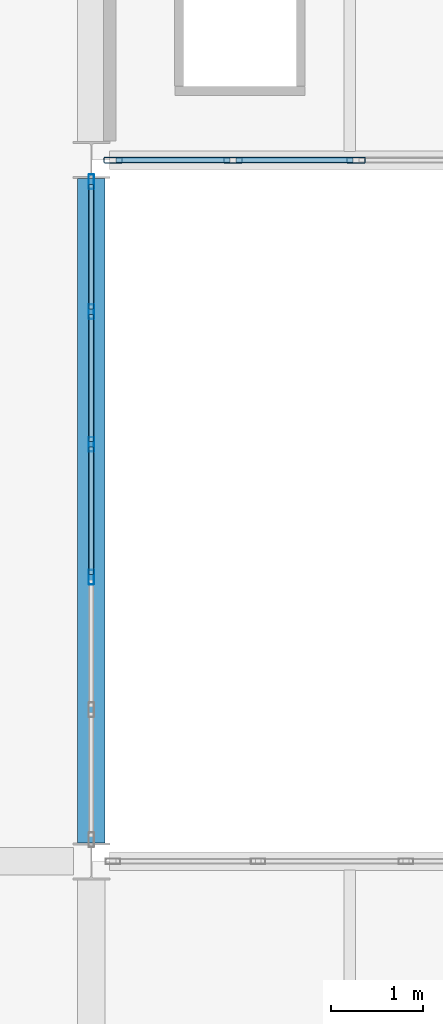
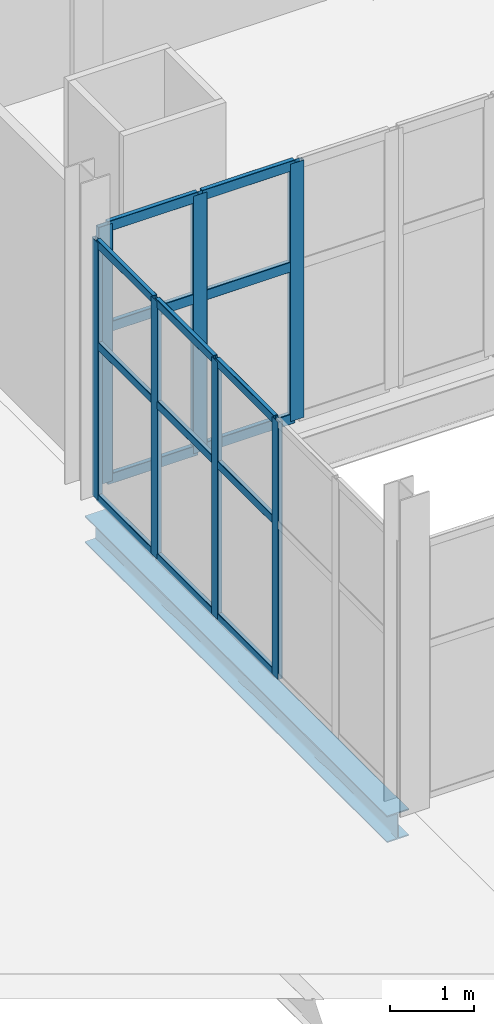
# One storey, part 68 of 172: 22 members, 1 beam, 2 elements without a shape of their own.
"""IFC4 building model written with IfcOpenShell, lengths in metres."""

from ifc_helpers import new_model, si_unit, direction, frame, origin, origin_2d, place, context, subcontext, project, spatial, hollow_rectangle, i_section, extrude, material, material_profile, profile_set, type_object, element, aggregate, save


model = new_model("IFC4")

# Units and contexts
model_context = context("Model", 3, precision=1e-05, world=origin(), true_north=direction((0.0, 1.0)))
body_context = subcontext(model_context, "Body", "Model", "MODEL_VIEW")
ifc_project = project(units=[si_unit("LENGTHUNIT", "METRE"), si_unit("AREAUNIT", "SQUARE_METRE"), si_unit("VOLUMEUNIT", "CUBIC_METRE"), si_unit("PLANEANGLEUNIT", "RADIAN"), si_unit("MASSUNIT", "GRAM", prefix="KILO")], contexts=[model_context])

# Site, building, storey
site_placement = place(None, origin())
site = spatial("IfcSite", under=ifc_project, at=site_placement, CompositionType="ELEMENT")
building_placement = place(site_placement, origin())
building = spatial("IfcBuilding", under=site, at=building_placement, Name="Shengluoqiao Park Theatre", CompositionType="ELEMENT")
storey_placement = place(building_placement, frame((0.0, 0.0, 5.39990234375)))
storey = spatial("IfcBuildingStorey", under=building, at=storey_placement, Name="L01", CompositionType="ELEMENT", Elevation=5.39990234375)

# Curtain wall, members
ifc_material_1 = material(Name="Aluminium 6063-T6", Category="aluminium")
curtain_wall_type_1 = type_object("IfcCurtainWallType", Name="ENV-CW-COURT", PredefinedType="NOTDEFINED", material=ifc_material_1)
curtain_wall_1_placement = place(storey_placement, origin())
curtain_wall_1 = element("IfcCurtainWall", 1, at=curtain_wall_1_placement, inside=storey, type_object=curtain_wall_type_1, Name="L01 Curtain Wall CWX-L01-0213", PredefinedType="NOTDEFINED")
ifc_material_profile_1 = material_profile(ifc_material_1, hollow_rectangle(XDim=0.06005859375, YDim=0.159912109375, WallThickness=0.00390625, InnerFilletRadius=0.00390625, OuterFilletRadius=0.008056640625, at=origin_2d()), Name="ALU MULLION 160x60x4")
ifc_profile_set_1 = profile_set([ifc_material_profile_1], Name="Aluminium 6063-T6")
member_type_1 = type_object("IfcMemberType", Name="ENV-MUL-160", PredefinedType="MULLION", material=ifc_profile_set_1)
member_1_placement = place(storey_placement, frame((44.39990234375, 63.880859375, 0.0), z_axis=(0.0, 0.0, 1.0), x_axis=(-1.0, 0.0, 0.0)))
member_1 = element("IfcMember", 2, at=member_1_placement, type_object=member_type_1, Name="CW-05 mullion 3", PredefinedType="MULLION", context=body_context, shape_type="SweptSolid", body=[
    extrude(hollow_rectangle(XDim=0.06005859375, YDim=0.159912109375, WallThickness=0.00390625, InnerFilletRadius=0.00390625, OuterFilletRadius=0.008056640625, at=origin_2d()), origin(), (0.0, 0.0, 1.0), 3.7421875),
])
member_2_placement = place(storey_placement, frame((44.39990234375, 65.319091796875, 0.0), z_axis=(0.0, 0.0, 1.0), x_axis=(-1.0, 0.0, 0.0)))
member_2 = element("IfcMember", 3, at=member_2_placement, type_object=member_type_1, Name="CW-05 mullion 4", PredefinedType="MULLION", context=body_context, shape_type="SweptSolid", body=[
    extrude(hollow_rectangle(XDim=0.06005859375, YDim=0.159912109375, WallThickness=0.00390625, InnerFilletRadius=0.00390625, OuterFilletRadius=0.008056640625, at=origin_2d()), origin(), (0.0, 0.0, 1.0), 3.7421875),
])
member_3_placement = place(storey_placement, frame((44.39990234375, 66.757568359375, 0.0), z_axis=(0.0, 0.0, 1.0), x_axis=(-1.0, 0.0, 0.0)))
member_3 = element("IfcMember", 4, at=member_3_placement, type_object=member_type_1, Name="CW-05 mullion 5", PredefinedType="MULLION", context=body_context, shape_type="SweptSolid", body=[
    extrude(hollow_rectangle(XDim=0.06005859375, YDim=0.159912109375, WallThickness=0.00390625, InnerFilletRadius=0.00390625, OuterFilletRadius=0.008056640625, at=origin_2d()), origin(), (0.0, 0.0, 1.0), 3.7421875),
])
member_4_placement = place(storey_placement, frame((44.39990234375, 68.166015625, 0.0), z_axis=(0.0, 0.0, 1.0), x_axis=(-1.0, 0.0, 0.0)))
member_4 = element("IfcMember", 5, at=member_4_placement, type_object=member_type_1, Name="CW-05 mullion 6", PredefinedType="MULLION", context=body_context, shape_type="SweptSolid", body=[
    extrude(hollow_rectangle(XDim=0.06005859375, YDim=0.159912109375, WallThickness=0.00390625, InnerFilletRadius=0.00390625, OuterFilletRadius=0.008056640625, at=origin_2d()), origin(), (0.0, 0.0, 1.0), 3.7421875),
])

curtain_wall_type_2 = type_object("IfcCurtainWallType", Name="ENV-CW-PROM", PredefinedType="NOTDEFINED", material=ifc_material_1)
curtain_wall_2_placement = place(storey_placement, origin())
curtain_wall_2 = element("IfcCurtainWall", 6, at=curtain_wall_2_placement, inside=storey, type_object=curtain_wall_type_2, Name="L01 Curtain Wall CW-L01-0051", PredefinedType="NOTDEFINED")
ifc_material_profile_2 = material_profile(ifc_material_1, hollow_rectangle(XDim=0.06494140625, YDim=0.199951171875, WallThickness=0.0048828125, InnerFilletRadius=0.0048828125, OuterFilletRadius=0.010009765625, at=origin_2d()), Name="ALU MULLION 200x65x5")
ifc_profile_set_2 = profile_set([ifc_material_profile_2], Name="Aluminium 6063-T6")
member_type_2 = type_object("IfcMemberType", Name="ENV-MUL-200", PredefinedType="MULLION", material=ifc_profile_set_2)
member_5_placement = place(storey_placement, frame((44.636474609375, 68.39990234375, 0.0), z_axis=(0.0, 0.0, 1.0), x_axis=(0.0, 1.0, 0.0)))
member_5 = element("IfcMember", 7, at=member_5_placement, type_object=member_type_2, Name="CW-04 mullion 1", PredefinedType="MULLION", context=body_context, shape_type="SweptSolid", body=[
    extrude(hollow_rectangle(XDim=0.06494140625, YDim=0.199951171875, WallThickness=0.0048828125, InnerFilletRadius=0.0048828125, OuterFilletRadius=0.010009765625, at=origin_2d()), origin(), (0.0, 0.0, 1.0), 3.7421875),
])
member_6_placement = place(storey_placement, frame((45.93603515625, 68.39990234375, 0.0), z_axis=(0.0, 0.0, 1.0), x_axis=(0.0, 1.0, 0.0)))
member_6 = element("IfcMember", 8, at=member_6_placement, type_object=member_type_2, Name="CW-04 mullion 2", PredefinedType="MULLION", context=body_context, shape_type="SweptSolid", body=[
    extrude(hollow_rectangle(XDim=0.06494140625, YDim=0.199951171875, WallThickness=0.0048828125, InnerFilletRadius=0.0048828125, OuterFilletRadius=0.010009765625, at=origin_2d()), origin(), (0.0, 0.0, 1.0), 3.7421875),
])
member_7_placement = place(storey_placement, frame((47.26806640625, 68.39990234375, 0.0), z_axis=(0.0, 0.0, 1.0), x_axis=(0.0, 1.0, 0.0)))
member_7 = element("IfcMember", 9, at=member_7_placement, type_object=member_type_2, Name="CW-04 mullion 3", PredefinedType="MULLION", context=body_context, shape_type="SweptSolid", body=[
    extrude(hollow_rectangle(XDim=0.06494140625, YDim=0.199951171875, WallThickness=0.0048828125, InnerFilletRadius=0.0048828125, OuterFilletRadius=0.010009765625, at=origin_2d()), origin(), (0.0, 0.0, 1.0), 3.7421875),
])

# Member
ifc_material_profile_3 = material_profile(ifc_material_1, hollow_rectangle(XDim=0.06005859375, YDim=0.1201171875, WallThickness=0.00390625, InnerFilletRadius=0.00390625, OuterFilletRadius=0.008056640625, at=origin_2d()), Name="ALU TRANSOM 120x60x4")
ifc_profile_set_3 = profile_set([ifc_material_profile_3], Name="Aluminium 6063-T6")
member_type_3 = type_object("IfcMemberType", Name="ENV-TRN-120", PredefinedType="USERDEFINED", material=ifc_profile_set_3)
member_8_placement = place(storey_placement, frame((44.39990234375, 63.910888671875, 0.030029296875), z_axis=(0.0, 1.0, 0.0), x_axis=(-1.0, 0.0, 0.0)))
member_8 = element("IfcMember", 10, at=member_8_placement, type_object=member_type_3, Name="CW-05 transom 3.1", ObjectType="TRANSOM", PredefinedType="USERDEFINED", context=body_context, shape_type="SweptSolid", body=[
    extrude(hollow_rectangle(XDim=0.06005859375, YDim=0.1201171875, WallThickness=0.00390625, InnerFilletRadius=0.00390625, OuterFilletRadius=0.008056640625, at=origin_2d()), origin(), (0.0, 0.0, 1.0), 1.37841796875),
])

member_9_placement = place(storey_placement, frame((44.39990234375, 63.910888671875, 2.2451171875), z_axis=(0.0, 1.0, 0.0), x_axis=(-1.0, 0.0, 0.0)))
member_9 = element("IfcMember", 11, at=member_9_placement, type_object=member_type_3, Name="CW-05 transom 3.2", ObjectType="TRANSOM", PredefinedType="USERDEFINED", context=body_context, shape_type="SweptSolid", body=[
    extrude(hollow_rectangle(XDim=0.06005859375, YDim=0.1201171875, WallThickness=0.00390625, InnerFilletRadius=0.00390625, OuterFilletRadius=0.008056640625, at=origin_2d()), origin(), (0.0, 0.0, 1.0), 1.37841796875),
])

member_10_placement = place(storey_placement, frame((44.39990234375, 63.910888671875, 3.712158203125), z_axis=(0.0, 1.0, 0.0), x_axis=(-1.0, 0.0, 0.0)))
member_10 = element("IfcMember", 12, at=member_10_placement, type_object=member_type_3, Name="CW-05 transom 3.3", ObjectType="TRANSOM", PredefinedType="USERDEFINED", context=body_context, shape_type="SweptSolid", body=[
    extrude(hollow_rectangle(XDim=0.06005859375, YDim=0.1201171875, WallThickness=0.00390625, InnerFilletRadius=0.00390625, OuterFilletRadius=0.008056640625, at=origin_2d()), origin(), (0.0, 0.0, 1.0), 1.37841796875),
])

member_11_placement = place(storey_placement, frame((44.39990234375, 65.34912109375, 0.030029296875), z_axis=(0.0, 1.0, 0.0), x_axis=(-1.0, 0.0, 0.0)))
member_11 = element("IfcMember", 13, at=member_11_placement, type_object=member_type_3, Name="CW-05 transom 4.1", ObjectType="TRANSOM", PredefinedType="USERDEFINED", context=body_context, shape_type="SweptSolid", body=[
    extrude(hollow_rectangle(XDim=0.06005859375, YDim=0.1201171875, WallThickness=0.00390625, InnerFilletRadius=0.00390625, OuterFilletRadius=0.008056640625, at=origin_2d()), origin(), (0.0, 0.0, 1.0), 1.37841796875),
])

member_12_placement = place(storey_placement, frame((44.39990234375, 65.34912109375, 2.2451171875), z_axis=(0.0, 1.0, 0.0), x_axis=(-1.0, 0.0, 0.0)))
member_12 = element("IfcMember", 14, at=member_12_placement, type_object=member_type_3, Name="CW-05 transom 4.2", ObjectType="TRANSOM", PredefinedType="USERDEFINED", context=body_context, shape_type="SweptSolid", body=[
    extrude(hollow_rectangle(XDim=0.06005859375, YDim=0.1201171875, WallThickness=0.00390625, InnerFilletRadius=0.00390625, OuterFilletRadius=0.008056640625, at=origin_2d()), origin(), (0.0, 0.0, 1.0), 1.37841796875),
])

member_13_placement = place(storey_placement, frame((44.39990234375, 65.34912109375, 3.712158203125), z_axis=(0.0, 1.0, 0.0), x_axis=(-1.0, 0.0, 0.0)))
member_13 = element("IfcMember", 15, at=member_13_placement, type_object=member_type_3, Name="CW-05 transom 4.3", ObjectType="TRANSOM", PredefinedType="USERDEFINED", context=body_context, shape_type="SweptSolid", body=[
    extrude(hollow_rectangle(XDim=0.06005859375, YDim=0.1201171875, WallThickness=0.00390625, InnerFilletRadius=0.00390625, OuterFilletRadius=0.008056640625, at=origin_2d()), origin(), (0.0, 0.0, 1.0), 1.37841796875),
])

member_14_placement = place(storey_placement, frame((44.39990234375, 66.78759765625, 0.030029296875), z_axis=(0.0, 1.0, 0.0), x_axis=(-1.0, 0.0, 0.0)))
member_14 = element("IfcMember", 16, at=member_14_placement, type_object=member_type_3, Name="CW-05 transom 5.1", ObjectType="TRANSOM", PredefinedType="USERDEFINED", context=body_context, shape_type="SweptSolid", body=[
    extrude(hollow_rectangle(XDim=0.06005859375, YDim=0.1201171875, WallThickness=0.00390625, InnerFilletRadius=0.00390625, OuterFilletRadius=0.008056640625, at=origin_2d()), origin(), (0.0, 0.0, 1.0), 1.348388671875),
])

member_15_placement = place(storey_placement, frame((44.39990234375, 66.78759765625, 2.2451171875), z_axis=(0.0, 1.0, 0.0), x_axis=(-1.0, 0.0, 0.0)))
member_15 = element("IfcMember", 17, at=member_15_placement, type_object=member_type_3, Name="CW-05 transom 5.2", ObjectType="TRANSOM", PredefinedType="USERDEFINED", context=body_context, shape_type="SweptSolid", body=[
    extrude(hollow_rectangle(XDim=0.06005859375, YDim=0.1201171875, WallThickness=0.00390625, InnerFilletRadius=0.00390625, OuterFilletRadius=0.008056640625, at=origin_2d()), origin(), (0.0, 0.0, 1.0), 1.348388671875),
])

member_16_placement = place(storey_placement, frame((44.39990234375, 66.78759765625, 3.712158203125), z_axis=(0.0, 1.0, 0.0), x_axis=(-1.0, 0.0, 0.0)))
member_16 = element("IfcMember", 18, at=member_16_placement, type_object=member_type_3, Name="CW-05 transom 5.3", ObjectType="TRANSOM", PredefinedType="USERDEFINED", context=body_context, shape_type="SweptSolid", body=[
    extrude(hollow_rectangle(XDim=0.06005859375, YDim=0.1201171875, WallThickness=0.00390625, InnerFilletRadius=0.00390625, OuterFilletRadius=0.008056640625, at=origin_2d()), origin(), (0.0, 0.0, 1.0), 1.348388671875),
])

aggregate(curtain_wall_1, [member_1, member_2, member_3, member_4, member_8, member_9, member_10, member_11, member_12, member_13, member_14, member_15, member_16])

ifc_material_profile_4 = material_profile(ifc_material_1, hollow_rectangle(XDim=0.06494140625, YDim=0.14990234375, WallThickness=0.00390625, InnerFilletRadius=0.00390625, OuterFilletRadius=0.008056640625, at=origin_2d()), Name="ALU TRANSOM 150x65x4")
ifc_profile_set_4 = profile_set([ifc_material_profile_4], Name="Aluminium 6063-T6")
member_type_4 = type_object("IfcMemberType", Name="ENV-TRN-150", PredefinedType="USERDEFINED", material=ifc_profile_set_4)
member_17_placement = place(storey_placement, frame((44.6689453125, 68.39990234375, 0.03271484375), z_axis=(1.0, 0.0, 0.0), x_axis=(0.0, 1.0, 0.0)))
member_17 = element("IfcMember", 19, at=member_17_placement, type_object=member_type_4, Name="CW-04 transom 1.1", ObjectType="TRANSOM", PredefinedType="USERDEFINED", context=body_context, shape_type="SweptSolid", body=[
    extrude(hollow_rectangle(XDim=0.06494140625, YDim=0.14990234375, WallThickness=0.00390625, InnerFilletRadius=0.00390625, OuterFilletRadius=0.008056640625, at=origin_2d()), origin(), (0.0, 0.0, 1.0), 1.234619140625),
])

member_18_placement = place(storey_placement, frame((44.6689453125, 68.39990234375, 2.2451171875), z_axis=(1.0, 0.0, 0.0), x_axis=(0.0, 1.0, 0.0)))
member_18 = element("IfcMember", 20, at=member_18_placement, type_object=member_type_4, Name="CW-04 transom 1.2", ObjectType="TRANSOM", PredefinedType="USERDEFINED", context=body_context, shape_type="SweptSolid", body=[
    extrude(hollow_rectangle(XDim=0.06494140625, YDim=0.14990234375, WallThickness=0.00390625, InnerFilletRadius=0.00390625, OuterFilletRadius=0.008056640625, at=origin_2d()), origin(), (0.0, 0.0, 1.0), 1.234619140625),
])

member_19_placement = place(storey_placement, frame((44.6689453125, 68.39990234375, 3.709716796875), z_axis=(1.0, 0.0, 0.0), x_axis=(0.0, 1.0, 0.0)))
member_19 = element("IfcMember", 21, at=member_19_placement, type_object=member_type_4, Name="CW-04 transom 1.3", ObjectType="TRANSOM", PredefinedType="USERDEFINED", context=body_context, shape_type="SweptSolid", body=[
    extrude(hollow_rectangle(XDim=0.06494140625, YDim=0.14990234375, WallThickness=0.00390625, InnerFilletRadius=0.00390625, OuterFilletRadius=0.008056640625, at=origin_2d()), origin(), (0.0, 0.0, 1.0), 1.234619140625),
])

member_20_placement = place(storey_placement, frame((45.968505859375, 68.39990234375, 0.03271484375), z_axis=(1.0, 0.0, 0.0), x_axis=(0.0, 1.0, 0.0)))
member_20 = element("IfcMember", 22, at=member_20_placement, type_object=member_type_4, Name="CW-04 transom 2.1", ObjectType="TRANSOM", PredefinedType="USERDEFINED", context=body_context, shape_type="SweptSolid", body=[
    extrude(hollow_rectangle(XDim=0.06494140625, YDim=0.14990234375, WallThickness=0.00390625, InnerFilletRadius=0.00390625, OuterFilletRadius=0.008056640625, at=origin_2d()), origin(), (0.0, 0.0, 1.0), 1.26708984375),
])

member_21_placement = place(storey_placement, frame((45.968505859375, 68.39990234375, 2.2451171875), z_axis=(1.0, 0.0, 0.0), x_axis=(0.0, 1.0, 0.0)))
member_21 = element("IfcMember", 23, at=member_21_placement, type_object=member_type_4, Name="CW-04 transom 2.2", ObjectType="TRANSOM", PredefinedType="USERDEFINED", context=body_context, shape_type="SweptSolid", body=[
    extrude(hollow_rectangle(XDim=0.06494140625, YDim=0.14990234375, WallThickness=0.00390625, InnerFilletRadius=0.00390625, OuterFilletRadius=0.008056640625, at=origin_2d()), origin(), (0.0, 0.0, 1.0), 1.26708984375),
])

member_22_placement = place(storey_placement, frame((45.968505859375, 68.39990234375, 3.709716796875), z_axis=(1.0, 0.0, 0.0), x_axis=(0.0, 1.0, 0.0)))
member_22 = element("IfcMember", 24, at=member_22_placement, type_object=member_type_4, Name="CW-04 transom 2.3", ObjectType="TRANSOM", PredefinedType="USERDEFINED", context=body_context, shape_type="SweptSolid", body=[
    extrude(hollow_rectangle(XDim=0.06494140625, YDim=0.14990234375, WallThickness=0.00390625, InnerFilletRadius=0.00390625, OuterFilletRadius=0.008056640625, at=origin_2d()), origin(), (0.0, 0.0, 1.0), 1.26708984375),
])

aggregate(curtain_wall_2, [member_5, member_6, member_7, member_17, member_18, member_19, member_20, member_21, member_22])

# Beam
ifc_material_2 = material(Name="Steel Q355", Category="steel")
ifc_material_profile_5 = material_profile(ifc_material_2, i_section(OverallWidth=0.300048828125, OverallDepth=0.389892578125, WebThickness=0.010009765625, FlangeThickness=0.01611328125, FilletRadius=0.01806640625, at=origin_2d()), Name="HM 390x300x10x16")
ifc_profile_set_5 = profile_set([ifc_material_profile_5], Name="Steel Q355")
beam_type = type_object("IfcBeamType", Name="STR-BM-G-HM390", PredefinedType="BEAM", material=ifc_profile_set_5)
beam_placement = place(storey_placement, frame((44.39990234375, 61.0009765625, -0.434814453125), z_axis=(0.0, 1.0, 0.0), x_axis=(-1.0, 0.0, 0.0)))
element("IfcBeam", 25, at=beam_placement, inside=storey, type_object=beam_type, Name="L01 Transverse Girder 00492", PredefinedType="BEAM", context=body_context, shape_type="SweptSolid", body=[
    extrude(i_section(OverallWidth=0.300048828125, OverallDepth=0.389892578125, WebThickness=0.010009765625, FlangeThickness=0.01611328125, FilletRadius=0.01806640625, at=origin_2d()), origin(), (0.0, 0.0, 1.0), 7.197998046875),
])

save(model, "model.ifc")
